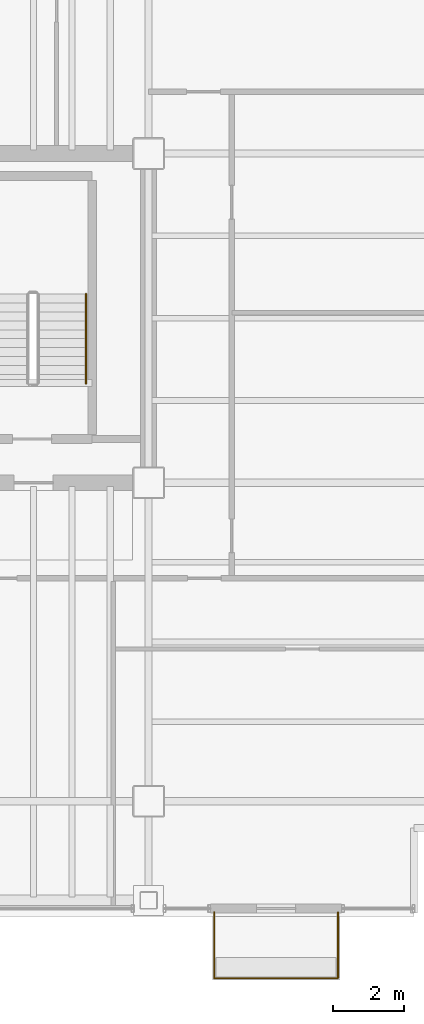
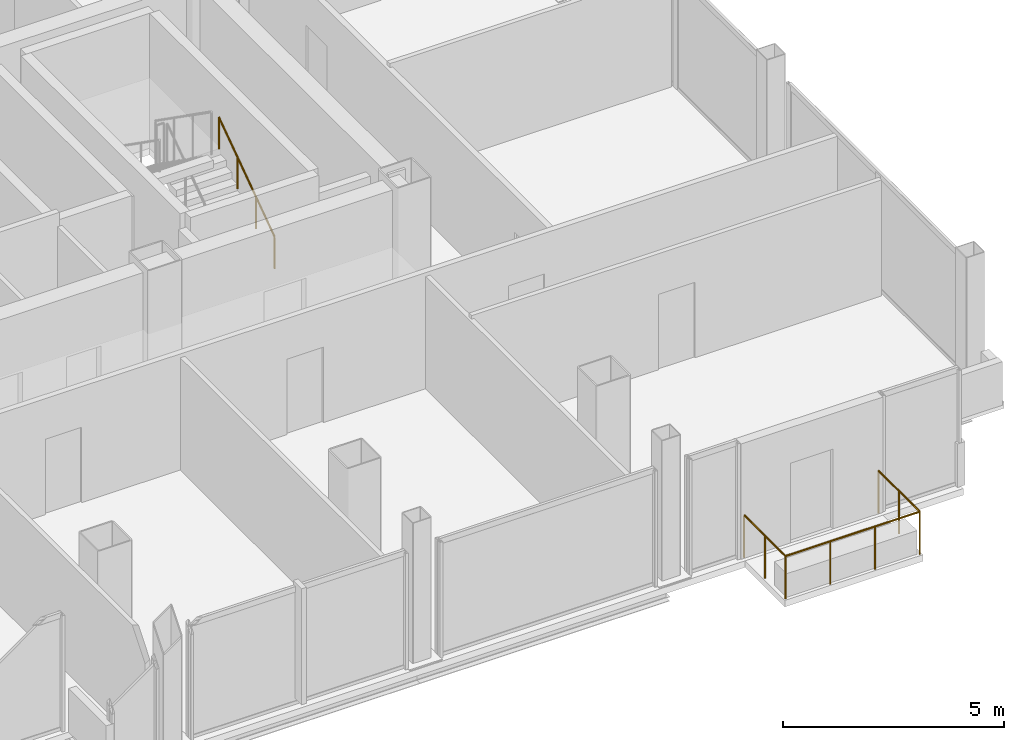
# One storey, part 16 of 16: 2 railings.
"""IFC4 building model written with IfcOpenShell, lengths in metres."""

from ifc_helpers import new_model, si_unit, direction, frame, origin, origin_2d, place, context, subcontext, project, spatial, circle, extrude, material, layer, layer_set, type_object, element, save


model = new_model("IFC4")

# Units and contexts
model_context = context("Model", 3, precision=1e-05, world=origin(), true_north=direction((0.0, 1.0)))
body_context = subcontext(model_context, "Body", "Model", "MODEL_VIEW")
ifc_project = project(units=[si_unit("LENGTHUNIT", "METRE"), si_unit("AREAUNIT", "SQUARE_METRE"), si_unit("VOLUMEUNIT", "CUBIC_METRE"), si_unit("PLANEANGLEUNIT", "RADIAN"), si_unit("MASSUNIT", "GRAM", prefix="KILO")], contexts=[model_context])

# Site, building, storey
site_placement = place(None, origin())
site = spatial("IfcSite", under=ifc_project, at=site_placement, CompositionType="ELEMENT")
building_placement = place(site_placement, origin())
building = spatial("IfcBuilding", under=site, at=building_placement, Name="Noeulbin Bourse Tower", CompositionType="ELEMENT")
storey_placement = place(building_placement, frame((0.0, 0.0, 181.199951171875)))
storey = spatial("IfcBuildingStorey", under=building, at=storey_placement, Name="L45", CompositionType="ELEMENT", Elevation=181.199951171875)

# Railings
ifc_material_1 = material(Name="Laminated SentryGlas and Stainless Steel 316", Category="steel")
ifc_layer_1 = layer(ifc_material_1, 0.06005859375)
ifc_layer_set_1 = layer_set([ifc_layer_1], Name="Laminated SentryGlas and Stainless Steel 316")
railing_type_1 = type_object("IfcRailingType", Name="RLG-BAL-1200", PredefinedType="BALUSTRADE", material=ifc_layer_set_1)
railing_1_placement = place(storey_placement, frame((45.85009765625, 16.8701171875, 0.0)))
element("IfcRailing", 1, at=railing_1_placement, inside=storey, type_object=railing_type_1, Name="Tree-Balcony Glazed Balustrade L45", PredefinedType="BALUSTRADE", context=body_context, shape_type="SweptSolid", body=[
    extrude(circle(Radius=0.02392578125, at=origin_2d()), frame((0.0, 0.0, 1.17578125), z_axis=(0.0, -1.0, 0.0), x_axis=(1.0, 0.0, 0.0)), (0.0, 0.0, 1.0), 1.8701171875),
    extrude(circle(Radius=0.02392578125, at=origin_2d()), frame((0.0, -1.8701171875, 1.17578125), z_axis=(1.0, 0.0, 0.0), x_axis=(0.0, 1.0, 0.0)), (0.0, 0.0, 1.0), 3.5),
    extrude(circle(Radius=0.02392578125, at=origin_2d()), frame((3.5, -1.8701171875, 1.17578125), z_axis=(0.0, 1.0, 0.0), x_axis=(-1.0, 0.0, 0.0)), (0.0, 0.0, 1.0), 1.8701171875),
    extrude(circle(Radius=0.02099609375, at=origin_2d()), origin(), (0.0, 0.0, 1.0), 1.15185546875),
    extrude(circle(Radius=0.02099609375, at=origin_2d()), frame((0.0, -0.93505859375, 0.0)), (0.0, 0.0, 1.0), 1.15185546875),
    extrude(circle(Radius=0.02099609375, at=origin_2d()), frame((0.0, -1.8701171875, 0.0)), (0.0, 0.0, 1.0), 1.15185546875),
    extrude(circle(Radius=0.02099609375, at=origin_2d()), frame((1.166748046875, -1.8701171875, 0.0)), (0.0, 0.0, 1.0), 1.15185546875),
    extrude(circle(Radius=0.02099609375, at=origin_2d()), frame((2.333251953125, -1.8701171875, 0.0)), (0.0, 0.0, 1.0), 1.15185546875),
    extrude(circle(Radius=0.02099609375, at=origin_2d()), frame((3.5, -1.8701171875, 0.0)), (0.0, 0.0, 1.0), 1.15185546875),
    extrude(circle(Radius=0.02099609375, at=origin_2d()), frame((3.5, -0.93505859375, 0.0)), (0.0, 0.0, 1.0), 1.15185546875),
    extrude(circle(Radius=0.02099609375, at=origin_2d()), frame((3.5, 0.0, 0.0)), (0.0, 0.0, 1.0), 1.15185546875),
])
ifc_material_2 = material(Name="Brushed Stainless Steel 316", Category="steel")
ifc_layer_2 = layer(ifc_material_2, 0.048095703125)
ifc_layer_set_2 = layer_set([ifc_layer_2], Name="Brushed Stainless Steel 316")
railing_type_2 = type_object("IfcRailingType", Name="RLG-STR-HND", PredefinedType="HANDRAIL", material=ifc_layer_set_2)
railing_2_placement = place(storey_placement, frame((42.22998046875, 31.81005859375, 0.17724609375)))
element("IfcRailing", 2, at=railing_2_placement, inside=storey, type_object=railing_type_2, Name="L45 ST-2 stair handrail 1", PredefinedType="HANDRAIL", context=body_context, shape_type="SweptSolid", body=[
    extrude(circle(Radius=0.02392578125, at=origin_2d()), frame((0.0, 0.0, 0.8759765625), z_axis=(0.0, 0.817904474719, 0.575354039036), x_axis=(-1.0, 0.0, 0.0)), (0.0, 0.0, 1.0), 3.0810546875),
    extrude(circle(Radius=0.02099609375, at=origin_2d()), origin(), (0.0, 0.0, 1.0), 0.851806640625),
    extrude(circle(Radius=0.02099609375, at=origin_2d()), frame((0.0, 0.840087890625, 0.5908203125)), (0.0, 0.0, 1.0), 0.851806640625),
    extrude(circle(Radius=0.02099609375, at=origin_2d()), frame((0.0, 1.679931640625, 1.181884765625)), (0.0, 0.0, 1.0), 0.851806640625),
    extrude(circle(Radius=0.02099609375, at=origin_2d()), frame((0.0, 2.52001953125, 1.772705078125)), (0.0, 0.0, 1.0), 0.851806640625),
])

save(model, "model.ifc")
